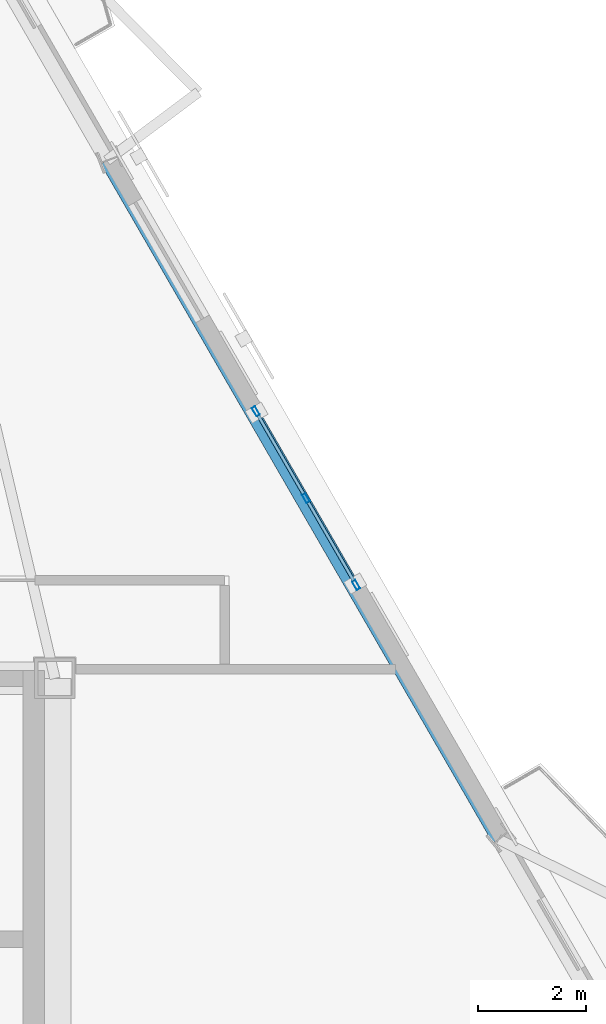
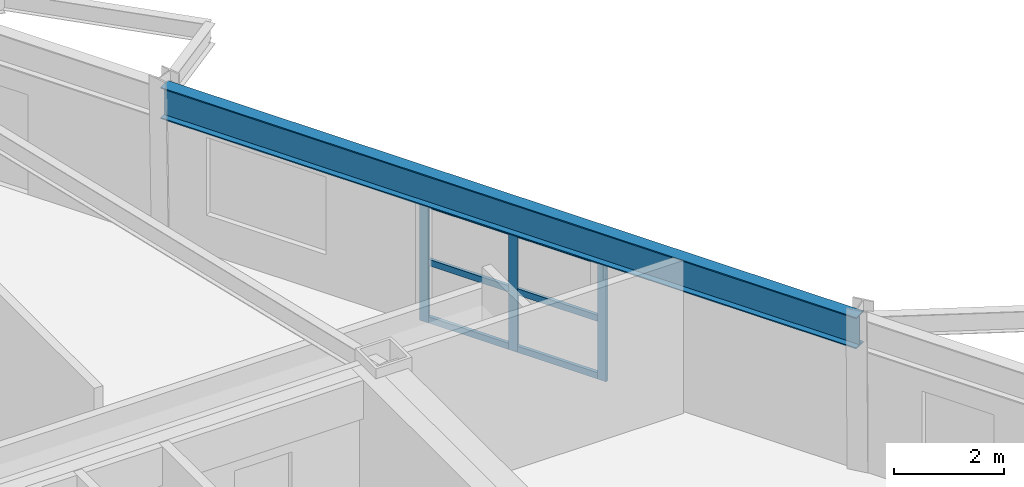
# One storey, part 4 of 13: 9 members, 1 beam, 1 element without a shape of its own.
"""IFC4 building model written with IfcOpenShell, lengths in metres."""

import ifcopenshell
import ifcopenshell.guid

model = None  # the IFC model being written
_history = None  # IfcOwnerHistory: only IFC2X3 demands one
_inside = {}  # id of a spatial element -> (the spatial element, [elements in it])
_under = {}  # id of a project, library or spatial element -> (it, [spatial elements below it])
_declared = {}  # id of a project -> (the project, [libraries it declares])
_typed = {}  # id of a type object -> (the type object, [elements of that type])
_made_of = {}  # id of a material, layer set ... -> (it, [elements and type objects made of it])


def new_model(schema):
    """Start an empty IFC model of exactly this schema.

    Asked for "IFC4X3", IfcOpenShell would pick the latest addendum, in which some entities
    have other attributes; the version numbers below select the first issue.
    IFC2X3 requires an IfcOwnerHistory on every rooted entity: one is made here for all.
    """
    global model, _history
    if schema == "IFC4X3":
        model = ifcopenshell.file(schema_version=(4, 3, 0, 0))
    else:
        model = ifcopenshell.file(schema=schema)
    _inside.clear()
    _under.clear()
    _declared.clear()
    _typed.clear()
    _made_of.clear()
    _history = None
    if model.schema == "IFC2X3":
        org = make("IfcOrganization", Name="unknown")
        user = make(
            "IfcPersonAndOrganization",
            ThePerson=make("IfcPerson", FamilyName="unknown"),
            TheOrganization=org,
        )
        app = make(
            "IfcApplication",
            ApplicationDeveloper=org,
            Version="unknown",
            ApplicationFullName="unknown",
            ApplicationIdentifier="unknown",
        )
        _history = make(
            "IfcOwnerHistory",
            OwningUser=user,
            OwningApplication=app,
            ChangeAction="ADDED",
            CreationDate=0,
        )
    return model


def make(cls, **values):
    """One entity of the class cls with the attributes given. An attribute that is None is left unset."""
    return model.create_entity(
        cls, **{name: value for name, value in values.items() if value is not None}
    )


def rooted(cls, **values):
    """An entity with a GlobalId (a new one), such as an element, a storey or a relation."""
    return make(cls, GlobalId=ifcopenshell.guid.new(), OwnerHistory=_history, **values)


def si_unit(unit_type, name, prefix=None):
    """IfcSIUnit, for example si_unit("LENGTHUNIT", "METRE", prefix="MILLI")."""
    return make("IfcSIUnit", UnitType=unit_type, Prefix=prefix, Name=name)


def assignment(units):
    """IfcUnitAssignment: the units of a project."""
    return None if units is None else make("IfcUnitAssignment", Units=units)


def point(xyz):
    """IfcCartesianPoint."""
    return None if xyz is None else make("IfcCartesianPoint", Coordinates=xyz)


def direction(xyz):
    """IfcDirection."""
    return None if xyz is None else make("IfcDirection", DirectionRatios=xyz)


def frame(location, z_axis=None, x_axis=None):
    """IfcAxis2Placement3D, a coordinate frame: its origin and axes. An axis left out is left unset."""
    return make(
        "IfcAxis2Placement3D",
        Location=point(location),
        Axis=direction(z_axis),
        RefDirection=direction(x_axis),
    )


def frame_2d(location, x_axis=None):
    """IfcAxis2Placement2D, a coordinate frame in the plane: its origin and x axis."""
    return make(
        "IfcAxis2Placement2D", Location=point(location), RefDirection=direction(x_axis)
    )


def origin():
    """The frame at (0, 0, 0) with its axes left unset."""
    return frame((0.0, 0.0, 0.0))


def origin_2d():
    """The frame at (0, 0) in the plane with its x axis left unset."""
    return frame_2d((0.0, 0.0))


def place(relative_to, where):
    """IfcLocalPlacement: puts the frame where relative to a parent placement (None: the world)."""
    return make(
        "IfcLocalPlacement", PlacementRelTo=relative_to, RelativePlacement=where
    )


def context(
    kind, dimensions, precision=None, world=None, true_north=None, identifier=None
):
    """IfcGeometricRepresentationContext, for example the 3D "Model" context."""
    return make(
        "IfcGeometricRepresentationContext",
        ContextIdentifier=identifier,
        ContextType=kind,
        CoordinateSpaceDimension=dimensions,
        Precision=precision,
        WorldCoordinateSystem=world,
        TrueNorth=true_north,
    )


def subcontext(parent, identifier, kind, view, scale=None):
    """IfcGeometricRepresentationSubContext, for example "Body" below "Model"."""
    return make(
        "IfcGeometricRepresentationSubContext",
        ContextIdentifier=identifier,
        ContextType=kind,
        ParentContext=parent,
        TargetScale=scale,
        TargetView=view,
    )


def project(units=None, contexts=None):
    """IfcProject with its units and contexts."""
    return rooted(
        "IfcProject",
        Name="project",
        RepresentationContexts=contexts,
        UnitsInContext=assignment(units),
    )


def spatial(cls, under=None, at=None, **own):
    """A site, building, storey or space (cls), placed at a placement, below another one or the project."""
    s = rooted(cls, ObjectPlacement=at, **own)
    if under is not None:
        _under.setdefault(under.id(), (under, []))[1].append(s)
    return s


def profile(cls, at=None, kind="AREA", **sizes):
    """A parametric profile (cls). Its sizes go by their IFC names, for example OverallWidth=200.0."""
    return make(cls, ProfileType=kind, Position=at, **sizes)


def hollow_rectangle(**sizes):
    """IfcRectangleHollowProfileDef."""
    return profile("IfcRectangleHollowProfileDef", **sizes)


def i_section(**sizes):
    """IfcIShapeProfileDef."""
    return profile("IfcIShapeProfileDef", **sizes)


def extrude(swept, where, along, depth):
    """IfcExtrudedAreaSolid: the profile swept, set in the frame where, extruded along a direction by depth."""
    return make(
        "IfcExtrudedAreaSolid",
        SweptArea=swept,
        Position=where,
        ExtrudedDirection=direction(along),
        Depth=depth,
    )


def shape(context_of_items, identifier, shape_type, items):
    """IfcShapeRepresentation: the items that make up one representation, for example the "Body"."""
    return make(
        "IfcShapeRepresentation",
        ContextOfItems=context_of_items,
        RepresentationIdentifier=identifier,
        RepresentationType=shape_type,
        Items=items,
    )


def material(Name=None, Category=None):
    """IfcMaterial."""
    return make("IfcMaterial", Name=Name, Category=Category)


def layer(
    of_material, thickness, ventilated=None, Name=None, Category=None, Priority=None
):
    """IfcMaterialLayer: one layer of a wall or slab, of a material (None: an air gap)."""
    return make(
        "IfcMaterialLayer",
        Material=of_material,
        LayerThickness=thickness,
        IsVentilated=ventilated,
        Name=Name,
        Category=Category,
        Priority=Priority,
    )


def layer_set(layers, Name=None):
    """IfcMaterialLayerSet."""
    return make("IfcMaterialLayerSet", MaterialLayers=layers, LayerSetName=Name)


def material_profile(
    of_material, cross_section, Name=None, Category=None, Priority=None
):
    """IfcMaterialProfile: a cross section and its material."""
    return make(
        "IfcMaterialProfile",
        Name=Name,
        Material=of_material,
        Profile=cross_section,
        Priority=Priority,
        Category=Category,
    )


def profile_set(profiles, Name=None, composite=None):
    """IfcMaterialProfileSet."""
    return make(
        "IfcMaterialProfileSet",
        Name=Name,
        MaterialProfiles=profiles,
        CompositeProfile=composite,
    )


def made_of(thing, what):
    """Note that an element or type object is made of a material, layer set ...; save() writes the relation."""
    if what is not None:
        _made_of.setdefault(what.id(), (what, []))[1].append(thing)
    return thing


def type_object(cls, material=None, **own):
    """A type object (cls), such as IfcWallType, which elements share."""
    return made_of(rooted(cls, **own), material)


def element(
    cls,
    number,
    at=None,
    inside=None,
    cuts=None,
    type_object=None,
    material=None,
    context=None,
    identifier="Body",
    shape_type=None,
    held_by="IfcProductDefinitionShape",
    body=None,
    shapes=None,
    **own,
):
    """One element of the class cls, such as IfcWall. Its Tag is "e" and its number.

    at: its placement. inside: the storey or other place that contains it. cuts: it is an
    opening in that element (IfcRelVoidsElement). A single representation is given by context,
    identifier, shape_type and body (its items); several are given by shapes. held_by: the class
    of the entity that holds the representations. save() writes the other relations.
    """
    e = rooted(cls, Tag="e%d" % number, ObjectPlacement=at, **own)
    if body is not None:
        shapes = [shape(context, identifier, shape_type, body)]
    if shapes is not None:
        e.Representation = make(held_by, Representations=shapes)
    if inside is not None:
        _inside.setdefault(inside.id(), (inside, []))[1].append(e)
    if cuts is not None:
        rooted(
            "IfcRelVoidsElement", RelatingBuildingElement=cuts, RelatedOpeningElement=e
        )
    if type_object is not None:
        _typed.setdefault(type_object.id(), (type_object, []))[1].append(e)
    return made_of(e, material)


def aggregate(whole, parts):
    """IfcRelAggregates: a whole, such as a stair, and the parts it consists of."""
    return rooted("IfcRelAggregates", RelatingObject=whole, RelatedObjects=parts)


def save(model, path):
    """Write the relations noted so far, then the file.

    IfcRelAggregates (storeys below a building ...), IfcRelContainedInSpatialStructure (elements
    in a storey), IfcRelDefinesByType, IfcRelAssociatesMaterial and IfcRelDeclares: one each for
    every whole, place, type object, material and project.
    """
    for whole, parts in _under.values():
        aggregate(whole, parts)
    for where, things in _inside.values():
        rooted(
            "IfcRelContainedInSpatialStructure",
            RelatedElements=things,
            RelatingStructure=where,
        )
    for kind, things in _typed.values():
        rooted("IfcRelDefinesByType", RelatedObjects=things, RelatingType=kind)
    for what, things in _made_of.values():
        rooted("IfcRelAssociatesMaterial", RelatedObjects=things, RelatingMaterial=what)
    for by, libraries in _declared.values():
        rooted("IfcRelDeclares", RelatingContext=by, RelatedDefinitions=libraries)
    model.write(path)


model = new_model("IFC4")

# Units and contexts
model_context = context("Model", 3, precision=1e-05, world=origin(), true_north=direction((0.0, 1.0)))
body_context = subcontext(model_context, "Body", "Model", "MODEL_VIEW")
ifc_project = project(units=[si_unit("LENGTHUNIT", "METRE"), si_unit("AREAUNIT", "SQUARE_METRE"), si_unit("VOLUMEUNIT", "CUBIC_METRE"), si_unit("PLANEANGLEUNIT", "RADIAN"), si_unit("MASSUNIT", "GRAM", prefix="KILO")], contexts=[model_context])

# Site, building, storey
site_placement = place(None, origin())
site = spatial("IfcSite", under=ifc_project, at=site_placement, CompositionType="ELEMENT")
building_placement = place(site_placement, origin())
building = spatial("IfcBuilding", under=site, at=building_placement, Name="Oramaril Tower", CompositionType="ELEMENT")
storey_placement = place(building_placement, frame((0.0, 0.0, 197.39990234375)))
storey = spatial("IfcBuildingStorey", under=building, at=storey_placement, Name="L52", CompositionType="ELEMENT", Elevation=197.39990234375)

# Beam
ifc_material_1 = material(Name="Steel ASTM A572 Gr 50", Category="steel")
ifc_material_profile_1 = material_profile(ifc_material_1, i_section(OverallWidth=0.257080078125, OverallDepth=0.693115234375, WebThickness=0.014404296875, FlangeThickness=0.023681640625, at=origin_2d()), Name="W27X114")
ifc_profile_set_1 = profile_set([ifc_material_profile_1], Name="Steel ASTM A572 Gr 50")
beam_type = type_object("IfcBeamType", Name="BT-SP4", PredefinedType="SPANDREL", material=ifc_profile_set_1)
beam_placement = place(storey_placement, frame((53.882568359375, 21.163330078125, 3.03369140625), z_axis=(-0.50000343918, 0.866023418164, 0.0), x_axis=(-0.866023418164, -0.50000343918, 0.0)))
element("IfcBeam", 1, at=beam_placement, inside=storey, type_object=beam_type, Name="L52 Perimeter Spandrel 10", PredefinedType="SPANDREL", context=body_context, shape_type="SweptSolid", body=[
    extrude(i_section(OverallWidth=0.257080078125, OverallDepth=0.693115234375, WebThickness=0.014404296875, FlangeThickness=0.023681640625, at=origin_2d()), origin(), (0.0, 0.0, 1.0), 14.541015625),
])

# Curtain wall, members
ifc_material_2 = material(Name="Anodised Aluminium 6063-T6", Category="aluminium")
ifc_layer = layer(ifc_material_2, 0.179931640625)
ifc_layer_set = layer_set([ifc_layer], Name="CWT-SYS4")
curtain_wall_type = type_object("IfcCurtainWallType", Name="CWT-SYS4", PredefinedType="NOTDEFINED", material=ifc_layer_set)
curtain_wall_placement = place(storey_placement, origin())
curtain_wall = element("IfcCurtainWall", 2, at=curtain_wall_placement, inside=storey, type_object=curtain_wall_type, Name="L52 Unitised Curtain Wall CW-4", PredefinedType="NOTDEFINED")
ifc_material_3 = material(Name="Anodised Aluminium 6063-T6", Category="aluminium")
ifc_material_profile_2 = material_profile(ifc_material_3, hollow_rectangle(XDim=0.070068359375, YDim=0.179931640625, WallThickness=0.00390625, at=origin_2d()), Name="CWM180X70")
ifc_profile_set_2 = profile_set([ifc_material_profile_2], Name="Anodised Aluminium 6063-T6")
member_type_1 = type_object("IfcMemberType", Name="MT-CWM2", PredefinedType="MULLION", material=ifc_profile_set_2)
member_1_placement = place(storey_placement, frame((51.2373046875, 25.883544921875, 0.0), z_axis=(0.0, 0.0, 1.0), x_axis=(-0.866025463091, -0.499999897278, 0.0)))
member_1 = element("IfcMember", 3, at=member_1_placement, type_object=member_type_1, Name="CW-4 mullion 1", PredefinedType="MULLION", context=body_context, shape_type="SweptSolid", body=[
    extrude(hollow_rectangle(XDim=0.070068359375, YDim=0.179931640625, WallThickness=0.00390625, at=origin_2d()), origin(), (0.0, 0.0, 1.0), 2.677001953125),
])
member_2_placement = place(storey_placement, frame((50.30712890625, 27.494140625, 0.0), z_axis=(0.0, 0.0, 1.0), x_axis=(-0.866025463091, -0.499999897278, 0.0)))
member_2 = element("IfcMember", 4, at=member_2_placement, type_object=member_type_1, Name="CW-4 mullion 2", PredefinedType="MULLION", context=body_context, shape_type="SweptSolid", body=[
    extrude(hollow_rectangle(XDim=0.070068359375, YDim=0.179931640625, WallThickness=0.00390625, at=origin_2d()), origin(), (0.0, 0.0, 1.0), 2.677001953125),
])
member_3_placement = place(storey_placement, frame((49.377197265625, 29.10498046875, 0.0), z_axis=(0.0, 0.0, 1.0), x_axis=(-0.866025463091, -0.499999897278, 0.0)))
member_3 = element("IfcMember", 5, at=member_3_placement, type_object=member_type_1, Name="CW-4 mullion 3", PredefinedType="MULLION", context=body_context, shape_type="SweptSolid", body=[
    extrude(hollow_rectangle(XDim=0.070068359375, YDim=0.179931640625, WallThickness=0.00390625, at=origin_2d()), origin(), (0.0, 0.0, 1.0), 2.677001953125),
])
ifc_material_4 = material(Name="Anodised Aluminium 6063-T6", Category="aluminium")
ifc_material_profile_3 = material_profile(ifc_material_4, hollow_rectangle(XDim=0.06494140625, YDim=0.139892578125, WallThickness=0.00390625, at=origin_2d()), Name="CWT140X65")
ifc_profile_set_3 = profile_set([ifc_material_profile_3], Name="Anodised Aluminium 6063-T6")
member_type_2 = type_object("IfcMemberType", Name="MT-CWT2", PredefinedType="USERDEFINED", material=ifc_profile_set_3)
member_4_placement = place(storey_placement, frame((51.192138671875, 25.96142578125, 0.070068359375), z_axis=(-0.499953100966, 0.866052479261, 0.0), x_axis=(-0.866052479261, -0.499953100966, 0.0)))
member_4 = element("IfcMember", 6, at=member_4_placement, type_object=member_type_2, Name="CW-4 transom 1.1", ObjectType="TRANSOM", PredefinedType="USERDEFINED", context=body_context, shape_type="SweptSolid", body=[
    extrude(hollow_rectangle(XDim=0.06494140625, YDim=0.139892578125, WallThickness=0.00390625, at=origin_2d()), origin(), (0.0, 0.0, 1.0), 1.679931640625),
])
member_5_placement = place(storey_placement, frame((51.192138671875, 25.96142578125, 1.338623046875), z_axis=(-0.499953100966, 0.866052479261, 0.0), x_axis=(-0.866052479261, -0.499953100966, 0.0)))
member_5 = element("IfcMember", 7, at=member_5_placement, type_object=member_type_2, Name="CW-4 transom 1.2", ObjectType="TRANSOM", PredefinedType="USERDEFINED", context=body_context, shape_type="SweptSolid", body=[
    extrude(hollow_rectangle(XDim=0.06494140625, YDim=0.139892578125, WallThickness=0.00390625, at=origin_2d()), origin(), (0.0, 0.0, 1.0), 1.679931640625),
])
member_6_placement = place(storey_placement, frame((51.192138671875, 25.96142578125, 2.607177734375), z_axis=(-0.499953100966, 0.866052479261, 0.0), x_axis=(-0.866052479261, -0.499953100966, 0.0)))
member_6 = element("IfcMember", 8, at=member_6_placement, type_object=member_type_2, Name="CW-4 transom 1.3", ObjectType="TRANSOM", PredefinedType="USERDEFINED", context=body_context, shape_type="SweptSolid", body=[
    extrude(hollow_rectangle(XDim=0.06494140625, YDim=0.139892578125, WallThickness=0.00390625, at=origin_2d()), origin(), (0.0, 0.0, 1.0), 1.679931640625),
])
member_7_placement = place(storey_placement, frame((50.26220703125, 27.572265625, 0.070068359375), z_axis=(-0.500062097304, 0.865989548921, 0.0), x_axis=(-0.865989548921, -0.500062097304, 0.0)))
member_7 = element("IfcMember", 9, at=member_7_placement, type_object=member_type_2, Name="CW-4 transom 2.1", ObjectType="TRANSOM", PredefinedType="USERDEFINED", context=body_context, shape_type="SweptSolid", body=[
    extrude(hollow_rectangle(XDim=0.06494140625, YDim=0.139892578125, WallThickness=0.00390625, at=origin_2d()), origin(), (0.0, 0.0, 1.0), 1.679931640625),
])
member_8_placement = place(storey_placement, frame((50.26220703125, 27.572265625, 1.338623046875), z_axis=(-0.500062097304, 0.865989548921, 0.0), x_axis=(-0.865989548921, -0.500062097304, 0.0)))
member_8 = element("IfcMember", 10, at=member_8_placement, type_object=member_type_2, Name="CW-4 transom 2.2", ObjectType="TRANSOM", PredefinedType="USERDEFINED", context=body_context, shape_type="SweptSolid", body=[
    extrude(hollow_rectangle(XDim=0.06494140625, YDim=0.139892578125, WallThickness=0.00390625, at=origin_2d()), origin(), (0.0, 0.0, 1.0), 1.679931640625),
])
member_9_placement = place(storey_placement, frame((50.26220703125, 27.572265625, 2.607177734375), z_axis=(-0.500062097304, 0.865989548921, 0.0), x_axis=(-0.865989548921, -0.500062097304, 0.0)))
member_9 = element("IfcMember", 11, at=member_9_placement, type_object=member_type_2, Name="CW-4 transom 2.3", ObjectType="TRANSOM", PredefinedType="USERDEFINED", context=body_context, shape_type="SweptSolid", body=[
    extrude(hollow_rectangle(XDim=0.06494140625, YDim=0.139892578125, WallThickness=0.00390625, at=origin_2d()), origin(), (0.0, 0.0, 1.0), 1.679931640625),
])
aggregate(curtain_wall, [member_1, member_2, member_3, member_4, member_5, member_6, member_7, member_8, member_9])

save(model, "model.ifc")
